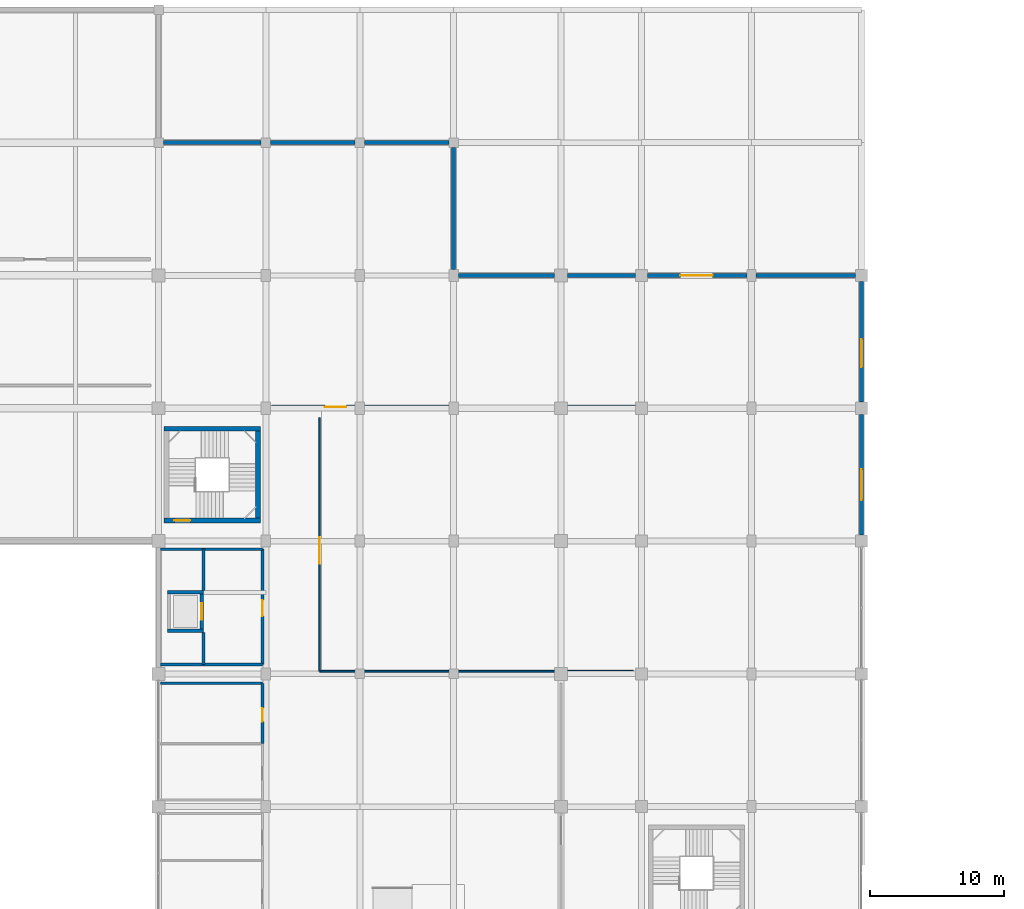
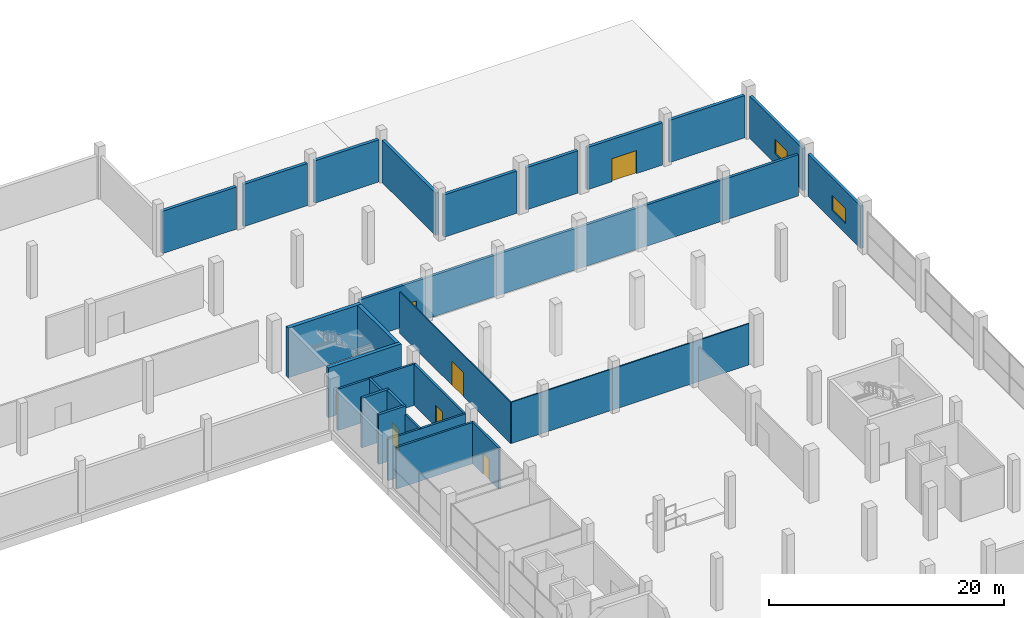
# One storey, part 23 of 50: 26 walls, 7 doors, 2 windows, 9 openings.
"""IFC4 building model written with IfcOpenShell, lengths in metres."""

from ifc_helpers import new_model, si_unit, direction, frame, frame_2d, origin, place, context, subcontext, project, spatial, rectangle, extrude, material, layer, layer_set, type_object, element, fill, save


model = new_model("IFC4")

# Units and contexts
model_context = context("Model", 3, precision=1e-05, world=origin(), true_north=direction((0.0, 1.0)))
body_context = subcontext(model_context, "Body", "Model", "MODEL_VIEW")
ifc_project = project(units=[si_unit("LENGTHUNIT", "METRE"), si_unit("AREAUNIT", "SQUARE_METRE"), si_unit("VOLUMEUNIT", "CUBIC_METRE"), si_unit("PLANEANGLEUNIT", "RADIAN"), si_unit("MASSUNIT", "GRAM", prefix="KILO")], contexts=[model_context])

# Site, building, storey
site_placement = place(None, origin())
site = spatial("IfcSite", under=ifc_project, at=site_placement, CompositionType="ELEMENT")
building_placement = place(site_placement, origin())
building = spatial("IfcBuilding", under=site, at=building_placement, Name="Sillaruma Civic Art Gallery", CompositionType="ELEMENT")
storey_placement = place(building_placement, origin())
storey = spatial("IfcBuildingStorey", under=building, at=storey_placement, Name="L00", CompositionType="ELEMENT", Elevation=0.0)

# Wall, opening, door
ifc_material_1 = material(Name="Concrete H40 (40 MPa)", Category="concrete")
ifc_layer_1 = layer(ifc_material_1, 0.35009765625, Name="Concrete H40 (40 MPa)")
ifc_layer_set_1 = layer_set([ifc_layer_1], Name="Concrete H40 (40 MPa)")
wall_type_1 = type_object("IfcWallType", Name="WAL-CORE-350", PredefinedType="SHEAR", material=ifc_layer_set_1)
wall_1_placement = place(storey_placement, frame((62.409912109375, 80.735107421875, 0.0), z_axis=(0.0, 0.0, 1.0), x_axis=(1.0, 0.0, 0.0)))
wall_1 = element("IfcWall", 1, at=wall_1_placement, inside=storey, type_object=wall_type_1, Name="Stair Core Shear Wall W-CORE-350 (ST-02:L00:S)", PredefinedType="SHEAR", context=body_context, shape_type="SweptSolid", body=[
    extrude(rectangle(XDim=7.18017578125, YDim=0.35009765625, at=frame_2d((3.590087890625, 0.0))), origin(), (0.0, 0.0, 1.0), 5.179931640625),
])
opening_1_placement = place(wall_1_placement, frame((0.77001953125, 0.0, 0.0)))
opening_1 = element("IfcOpeningElement", 2, at=opening_1_placement, cuts=wall_1, Name="Opening D-STAIR", PredefinedType="OPENING", context=body_context, shape_type="SweptSolid", body=[
    extrude(rectangle(XDim=1.199951171875, YDim=2.199951171875, at=frame_2d((0.60009765625, 1.10009765625))), frame((0.0, 0.18505859375, 0.0), z_axis=(0.0, -1.0, 0.0), x_axis=(1.0, 0.0, 0.0)), (0.0, 0.0, 1.0), 0.3701171875),
])
ifc_material_2 = material(Name="Galvanised Steel ASTM A653 Gr.50", Category="steel")
door_type_1 = type_object("IfcDoorType", Name="DOR-STAIR-120", OperationType="NOTDEFINED", PredefinedType="DOOR", material=ifc_material_2)
door_1_placement = place(opening_1_placement, frame((1.199951171875, 0.0, 0.0), z_axis=(0.0, 0.0, 1.0), x_axis=(-1.0, 0.0, 0.0)))
door_1 = element("IfcDoor", 3, at=door_1_placement, inside=storey, type_object=door_type_1, Name="Protected Stair Fire Door (ST-02:L00)", OperationType="SINGLE_SWING_RIGHT", OverallHeight=2.199951171875, OverallWidth=1.199951171875, PredefinedType="DOOR", context=body_context, shape_type="SweptSolid", body=[
    extrude(rectangle(XDim=1.199951171875, YDim=2.199951171875, at=frame_2d((0.60009765625, 1.10009765625))), frame((0.0, 0.02490234375, 0.0), z_axis=(0.0, -1.0, 0.0), x_axis=(1.0, 0.0, 0.0)), (0.0, 0.0, 1.0), 0.050048828125),
])
fill(opening_1, door_1)

# Walls
wall_2_placement = place(storey_placement, frame((62.409912109375, 87.56494140625, 0.0), z_axis=(0.0, 0.0, 1.0), x_axis=(1.0, 0.0, 0.0)))
element("IfcWall", 4, at=wall_2_placement, inside=storey, type_object=wall_type_1, Name="Stair Core Shear Wall W-CORE-350 (ST-02:L00:N)", PredefinedType="SHEAR", context=body_context, shape_type="SweptSolid", body=[
    extrude(rectangle(XDim=7.18017578125, YDim=0.35009765625, at=frame_2d((3.590087890625, 0.0))), origin(), (0.0, 0.0, 1.0), 5.179931640625),
])
wall_3_placement = place(storey_placement, frame((69.4150390625, 80.909912109375, 0.0), z_axis=(0.0, 0.0, 1.0), x_axis=(0.0, 1.0, 0.0)))
element("IfcWall", 5, at=wall_3_placement, inside=storey, type_object=wall_type_1, Name="Stair Core Shear Wall W-CORE-350 (ST-02:L00:E)", PredefinedType="SHEAR", context=body_context, shape_type="SweptSolid", body=[
    extrude(rectangle(XDim=6.47998046875, YDim=0.35009765625, at=frame_2d((3.239990234375, 0.0))), origin(), (0.0, 0.0, 1.0), 5.179931640625),
])

# Wall, opening, window
ifc_material_3 = material(Name="Concrete H35 (35 MPa)", Category="concrete")
ifc_layer_2 = layer(ifc_material_3, 0.159912109375, Name="Concrete backup", Category="concrete")
ifc_material_4 = material(Name="Mineral Wool Thermal Insulation", Category="insulation")
ifc_layer_3 = layer(ifc_material_4, 0.090087890625, Name="Thermal insulation", Category="insulation")
ifc_material_5 = material(Name="Anodised Zinc-Aluminium Alloy", Category="aluminium")
ifc_layer_4 = layer(ifc_material_5, 0.030029296875, Name="Rainscreen finish", Category="aluminium")
ifc_layer_set_2 = layer_set([ifc_layer_2, ifc_layer_3, ifc_layer_4], Name="W-EXT-280")
wall_type_2 = type_object("IfcWallType", Name="WAL-EXT-280", PredefinedType="SOLIDWALL", material=ifc_layer_set_2)
wall_4_placement = place(storey_placement, frame((114.39990234375, 79.64990234375, 0.0), z_axis=(0.0, 0.0, 1.0), x_axis=(0.0, 1.0, 0.0)))
wall_4 = element("IfcWall", 6, at=wall_4_placement, inside=storey, type_object=wall_type_2, Name="Exterior Wall W-EXT-280 (EW-L00-SPE-7)", PredefinedType="SOLIDWALL", context=body_context, shape_type="SweptSolid", body=[
    extrude(rectangle(XDim=9.0, YDim=0.280029296875, at=frame_2d((4.5, 0.0))), origin(), (0.0, 0.0, 1.0), 4.39990234375),
])
opening_2_placement = place(wall_4_placement, frame((2.60009765625, 0.0, 1.050048828125)))
opening_2 = element("IfcOpeningElement", 7, at=opening_2_placement, cuts=wall_4, Name="Opening WN-12", PredefinedType="OPENING", context=body_context, shape_type="SweptSolid", body=[
    extrude(rectangle(XDim=2.300048828125, YDim=1.550048828125, at=frame_2d((1.14990234375, 0.77490234375))), frame((0.0, 0.14990234375, 0.0), z_axis=(0.0, -1.0, 0.0), x_axis=(1.0, 0.0, 0.0)), (0.0, 0.0, 1.0), 0.300048828125),
])
ifc_material_6 = material(Name="Thermally Broken Extruded Aluminium 6063-T6", Category="aluminium")
window_type_1 = type_object("IfcWindowType", Name="WIN-W12", PartitioningType="SINGLE_PANEL", PredefinedType="WINDOW", material=ifc_material_6)
window_1_placement = place(opening_2_placement, origin())
window_1 = element("IfcWindow", 8, at=window_1_placement, inside=storey, type_object=window_type_1, Name="Window WN-12 (EW-L00-SPE-7-1)", OverallHeight=1.550048828125, OverallWidth=2.300048828125, PartitioningType="SINGLE_PANEL", PredefinedType="WINDOW", context=body_context, shape_type="SweptSolid", body=[
    extrude(rectangle(XDim=2.300048828125, YDim=1.550048828125, at=frame_2d((1.14990234375, 0.77490234375))), frame((0.0, 0.030029296875, 0.0), z_axis=(0.0, -1.0, 0.0), x_axis=(1.0, 0.0, 0.0)), (0.0, 0.0, 1.0), 0.06005859375),
])
fill(opening_2, window_1)

wall_5_placement = place(storey_placement, frame((114.39990234375, 89.550048828125, 0.0), z_axis=(0.0, 0.0, 1.0), x_axis=(0.0, 1.0, 0.0)))
wall_5 = element("IfcWall", 9, at=wall_5_placement, inside=storey, type_object=wall_type_2, Name="Exterior Wall W-EXT-280 (EW-L00-SPE-8)", PredefinedType="SOLIDWALL", context=body_context, shape_type="SweptSolid", body=[
    extrude(rectangle(XDim=9.0, YDim=0.280029296875, at=frame_2d((4.5, 0.0))), origin(), (0.0, 0.0, 1.0), 4.39990234375),
])
opening_3_placement = place(wall_5_placement, frame((2.60009765625, 0.0, 1.050048828125)))
opening_3 = element("IfcOpeningElement", 10, at=opening_3_placement, cuts=wall_5, Name="Opening WN-13", PredefinedType="OPENING", context=body_context, shape_type="SweptSolid", body=[
    extrude(rectangle(XDim=2.10009765625, YDim=1.5, at=frame_2d((1.050048828125, 0.75))), frame((0.0, 0.14990234375, 0.0), z_axis=(0.0, -1.0, 0.0), x_axis=(1.0, 0.0, 0.0)), (0.0, 0.0, 1.0), 0.300048828125),
])
window_type_2 = type_object("IfcWindowType", Name="WIN-W13", PartitioningType="SINGLE_PANEL", PredefinedType="WINDOW", material=ifc_material_6)
window_2_placement = place(opening_3_placement, origin())
window_2 = element("IfcWindow", 11, at=window_2_placement, inside=storey, type_object=window_type_2, Name="Window WN-13 (EW-L00-SPE-8-1)", OverallHeight=1.5, OverallWidth=2.10009765625, PartitioningType="SINGLE_PANEL", PredefinedType="WINDOW", context=body_context, shape_type="SweptSolid", body=[
    extrude(rectangle(XDim=2.10009765625, YDim=1.5, at=frame_2d((1.050048828125, 0.75))), frame((0.0, 0.030029296875, 0.0), z_axis=(0.0, -1.0, 0.0), x_axis=(1.0, 0.0, 0.0)), (0.0, 0.0, 1.0), 0.06005859375),
])
fill(opening_3, window_2)

# Walls
ifc_material_7 = material(Name="Precast Concrete H35 (35 MPa)", Category="concrete")
ifc_layer_5 = layer(ifc_material_7, 0.179931640625, Name="Precast backup", Category="concrete")
ifc_layer_6 = layer(ifc_material_4, 0.090087890625, Name="Thermal insulation", Category="insulation")
ifc_material_8 = material(Name="Comanche Granitic Ashlar Stone", Category="masonry")
ifc_layer_7 = layer(ifc_material_8, 0.030029296875, Name="Rainscreen cladding", Category="masonry")
ifc_layer_set_3 = layer_set([ifc_layer_5, ifc_layer_6, ifc_layer_7], Name="W-EXT-300")
wall_type_3 = type_object("IfcWallType", Name="WAL-EXT-300", PredefinedType="SOLIDWALL", material=ifc_layer_set_3)
wall_6_placement = place(storey_placement, frame((84.35009765625, 99.0, 0.0), z_axis=(0.0, 0.0, 1.0), x_axis=(1.0, 0.0, 0.0)))
element("IfcWall", 12, at=wall_6_placement, inside=storey, type_object=wall_type_3, Name="Exterior Wall W-EXT-300 (EW-L00-PNE-JK)", PredefinedType="SOLIDWALL", context=body_context, shape_type="SweptSolid", body=[
    extrude(rectangle(XDim=7.1748046875, YDim=0.300048828125, at=frame_2d((3.58740234375, 0.0))), origin(), (0.0, 0.0, 1.0), 4.39990234375),
])
wall_7_placement = place(storey_placement, frame((92.47509765625, 99.0, 0.0), z_axis=(0.0, 0.0, 1.0), x_axis=(1.0, 0.0, 0.0)))
element("IfcWall", 13, at=wall_7_placement, inside=storey, type_object=wall_type_3, Name="Exterior Wall W-EXT-300 (EW-L00-PNE-KL)", PredefinedType="SOLIDWALL", context=body_context, shape_type="SweptSolid", body=[
    extrude(rectangle(XDim=5.074951171875, YDim=0.300048828125, at=frame_2d((2.53759765625, 0.0))), origin(), (0.0, 0.0, 1.0), 4.39990234375),
])

# Wall, opening, door
wall_8_placement = place(storey_placement, frame((98.449951171875, 99.0, 0.0), z_axis=(0.0, 0.0, 1.0), x_axis=(1.0, 0.0, 0.0)))
wall_8 = element("IfcWall", 14, at=wall_8_placement, inside=storey, type_object=wall_type_3, Name="Exterior Wall W-EXT-300 (EW-L00-PNE-LM)", PredefinedType="SOLIDWALL", context=body_context, shape_type="SweptSolid", body=[
    extrude(rectangle(XDim=7.400146484375, YDim=0.300048828125, at=frame_2d((3.7001953125, 0.0))), origin(), (0.0, 0.0, 1.0), 4.39990234375),
])
opening_4_placement = place(wall_8_placement, frame((2.449951171875, 0.0, 0.0)))
opening_4 = element("IfcOpeningElement", 15, at=opening_4_placement, cuts=wall_8, Name="Opening GD-03", PredefinedType="OPENING", context=body_context, shape_type="SweptSolid", body=[
    extrude(rectangle(XDim=2.39990234375, YDim=2.39990234375, at=frame_2d((1.199951171875, 1.199951171875))), frame((0.0, 0.159912109375, 0.0), z_axis=(0.0, -1.0, 0.0), x_axis=(1.0, 0.0, 0.0)), (0.0, 0.0, 1.0), 0.320068359375),
])
door_type_2 = type_object("IfcDoorType", Name="DOR-GATE-240", OperationType="NOTDEFINED", PredefinedType="GATE", material=ifc_material_2)
door_2_placement = place(opening_4_placement, origin())
door_2 = element("IfcDoor", 16, at=door_2_placement, inside=storey, type_object=door_type_2, Name="Pasaje Courtyard Service Gate P4", OperationType="DOUBLE_DOOR_SINGLE_SWING", OverallHeight=2.39990234375, OverallWidth=2.39990234375, PredefinedType="GATE", context=body_context, shape_type="SweptSolid", body=[
    extrude(rectangle(XDim=2.39990234375, YDim=2.39990234375, at=frame_2d((1.199951171875, 1.199951171875))), frame((0.0, 0.02490234375, 0.0), z_axis=(0.0, -1.0, 0.0), x_axis=(1.0, 0.0, 0.0)), (0.0, 0.0, 1.0), 0.050048828125),
])
fill(opening_4, door_2)

# Walls
wall_9_placement = place(storey_placement, frame((106.550048828125, 99.0, 0.0), z_axis=(0.0, 0.0, 1.0), x_axis=(1.0, 0.0, 0.0)))
element("IfcWall", 17, at=wall_9_placement, inside=storey, type_object=wall_type_3, Name="Exterior Wall W-EXT-300 (EW-L00-PNE-MN)", PredefinedType="SOLIDWALL", context=body_context, shape_type="SweptSolid", body=[
    extrude(rectangle(XDim=7.39990234375, YDim=0.300048828125, at=frame_2d((3.699951171875, 0.0))), origin(), (0.0, 0.0, 1.0), 4.39990234375),
])
wall_10_placement = place(storey_placement, frame((84.0, 99.449951171875, 0.0), z_axis=(0.0, 0.0, 1.0), x_axis=(0.0, 1.0, 0.0)))
element("IfcWall", 18, at=wall_10_placement, inside=storey, type_object=wall_type_3, Name="Exterior Wall W-EXT-300 (EW-L00-PNE-W)", PredefinedType="SOLIDWALL", context=body_context, shape_type="SweptSolid", body=[
    extrude(rectangle(XDim=9.10009765625, YDim=0.300048828125, at=frame_2d((4.550048828125, 0.0))), origin(), (0.0, 0.0, 1.0), 4.39990234375),
])
wall_11_placement = place(storey_placement, frame((62.35009765625, 108.89990234375, 0.0), z_axis=(0.0, 0.0, 1.0), x_axis=(1.0, 0.0, 0.0)))
element("IfcWall", 19, at=wall_11_placement, inside=storey, type_object=wall_type_3, Name="Exterior Wall W-EXT-300 (EW-L00-PNW-FG)", PredefinedType="SOLIDWALL", context=body_context, shape_type="SweptSolid", body=[
    extrude(rectangle(XDim=7.2998046875, YDim=0.300048828125, at=frame_2d((3.64990234375, 0.0))), origin(), (0.0, 0.0, 1.0), 4.39990234375),
])
for number, where, z_axis, x_axis, name in (
    (20, (70.35009765625, 108.89990234375, 0.0), (0.0, 0.0, 1.0), (1.0, 0.0, 0.0), "Exterior Wall W-EXT-300 (EW-L00-PNW-GH)"),
    (21, (77.35009765625, 108.89990234375, 0.0), (0.0, 0.0, 1.0), (1.0, 0.0, 0.0), "Exterior Wall W-EXT-300 (EW-L00-PNW-HJ)"),
):
    element("IfcWall", number, at=place(storey_placement, frame(where, z_axis=z_axis, x_axis=x_axis)), inside=storey, type_object=wall_type_3, Name=name, PredefinedType="SOLIDWALL", context=body_context, shape_type="SweptSolid", body=[
        extrude(rectangle(XDim=6.2998046875, YDim=0.300048828125, at=frame_2d((3.14990234375, 0.0))), origin(), (0.0, 0.0, 1.0), 4.39990234375),
    ])
ifc_material_9 = material(Name="Concrete Masonry Unit Grade M15", Category="masonry")
ifc_layer_8 = layer(ifc_material_9, 0.199951171875, Name="Concrete Masonry Unit Grade M15")
ifc_layer_set_4 = layer_set([ifc_layer_8], Name="Concrete Masonry Unit Grade M15")
wall_type_4 = type_object("IfcWallType", Name="WAL-LOBBY-200", PredefinedType="SOLIDWALL", material=ifc_layer_set_4)
for number, where, z_axis, x_axis, name in (
    (22, (62.14990234375, 70.0, 0.0), (0.0, 0.0, 1.0), (1.0, 0.0, 0.0), "Interior Wall W-LOBBY-200 (L00-FFL)"),
    (23, (62.14990234375, 78.60009765625, 0.0), (0.0, 0.0, 1.0), (1.0, 0.0, 0.0), "Interior Wall W-LOBBY-200 (L00-FFL)"),
):
    element("IfcWall", number, at=place(storey_placement, frame(where, z_axis=z_axis, x_axis=x_axis)), inside=storey, type_object=wall_type_4, Name=name, PredefinedType="SOLIDWALL", context=body_context, shape_type="SweptSolid", body=[
        extrude(rectangle(XDim=7.60009765625, YDim=0.199951171875, at=frame_2d((3.800048828125, 0.0))), origin(), (0.0, 0.0, 1.0), 4.300048828125),
    ])
wall_12_placement = place(storey_placement, frame((65.35009765625, 70.0, 0.0), z_axis=(0.0, 0.0, 1.0), x_axis=(0.0, 1.0, 0.0)))
element("IfcWall", 24, at=wall_12_placement, inside=storey, type_object=wall_type_4, Name="Interior Wall W-LOBBY-200 (L00-FFL)", PredefinedType="SOLIDWALL", context=body_context, shape_type="SweptSolid", body=[
    extrude(rectangle(XDim=2.39990234375, YDim=0.199951171875, at=frame_2d((1.199951171875, 0.0))), origin(), (0.0, 0.0, 1.0), 4.300048828125),
])
wall_13_placement = place(storey_placement, frame((65.35009765625, 75.5, 0.0), z_axis=(0.0, 0.0, 1.0), x_axis=(0.0, 1.0, 0.0)))
element("IfcWall", 25, at=wall_13_placement, inside=storey, type_object=wall_type_4, Name="Interior Wall W-LOBBY-200 (L00-FFL)", PredefinedType="SOLIDWALL", context=body_context, shape_type="SweptSolid", body=[
    extrude(rectangle(XDim=3.10009765625, YDim=0.199951171875, at=frame_2d((1.550048828125, 0.0))), origin(), (0.0, 0.0, 1.0), 4.300048828125),
])

# Wall, opening, door
wall_14_placement = place(storey_placement, frame((69.75, 70.0, 0.0), z_axis=(0.0, 0.0, 1.0), x_axis=(0.0, 1.0, 0.0)))
wall_14 = element("IfcWall", 26, at=wall_14_placement, inside=storey, type_object=wall_type_4, Name="Interior Wall W-LOBBY-200 (L00-FFL)", PredefinedType="SOLIDWALL", context=body_context, shape_type="SweptSolid", body=[
    extrude(rectangle(XDim=8.60009765625, YDim=0.199951171875, at=frame_2d((4.300048828125, 0.0))), origin(), (0.0, 0.0, 1.0), 4.300048828125),
])
opening_5_placement = place(wall_14_placement, frame((3.60009765625, 0.0, 0.0)))
opening_5 = element("IfcOpeningElement", 27, at=opening_5_placement, cuts=wall_14, Name="Opening D-FFL", PredefinedType="OPENING", context=body_context, shape_type="SweptSolid", body=[
    extrude(rectangle(XDim=1.199951171875, YDim=2.25, at=frame_2d((0.60009765625, 1.125))), frame((0.0, 0.10986328125, 0.0), z_axis=(0.0, -1.0, 0.0), x_axis=(1.0, 0.0, 0.0)), (0.0, 0.0, 1.0), 0.219970703125),
])
door_type_3 = type_object("IfcDoorType", Name="DOR-FFL-120", OperationType="NOTDEFINED", PredefinedType="DOOR", material=ifc_material_2)
door_3_placement = place(opening_5_placement, origin())
door_3 = element("IfcDoor", 28, at=door_3_placement, inside=storey, type_object=door_type_3, Name="Firefighting Lobby Door (D-FFL)", OperationType="SINGLE_SWING_LEFT", OverallHeight=2.25, OverallWidth=1.199951171875, PredefinedType="DOOR", context=body_context, shape_type="SweptSolid", body=[
    extrude(rectangle(XDim=1.199951171875, YDim=2.25, at=frame_2d((0.60009765625, 1.125))), frame((0.0, 0.02490234375, 0.0), z_axis=(0.0, -1.0, 0.0), x_axis=(1.0, 0.0, 0.0)), (0.0, 0.0, 1.0), 0.050048828125),
])
fill(opening_5, door_3)

# Wall
wall_15_placement = place(storey_placement, frame((62.14990234375, 68.60009765625, 0.0), z_axis=(0.0, 0.0, 1.0), x_axis=(1.0, 0.0, 0.0)))
element("IfcWall", 29, at=wall_15_placement, inside=storey, type_object=wall_type_4, Name="Interior Wall W-LOBBY-200 (L00-RSR)", PredefinedType="SOLIDWALL", context=body_context, shape_type="SweptSolid", body=[
    extrude(rectangle(XDim=7.60009765625, YDim=0.199951171875, at=frame_2d((3.800048828125, 0.0))), origin(), (0.0, 0.0, 1.0), 4.300048828125),
])

# Wall, opening, door
wall_16_placement = place(storey_placement, frame((69.75, 64.10009765625, 0.0), z_axis=(0.0, 0.0, 1.0), x_axis=(0.0, 1.0, 0.0)))
wall_16 = element("IfcWall", 30, at=wall_16_placement, inside=storey, type_object=wall_type_4, Name="Interior Wall W-LOBBY-200 (L00-RSR)", PredefinedType="SOLIDWALL", context=body_context, shape_type="SweptSolid", body=[
    extrude(rectangle(XDim=4.5, YDim=0.199951171875, at=frame_2d((2.25, 0.0))), origin(), (0.0, 0.0, 1.0), 4.300048828125),
])
opening_6_placement = place(wall_16_placement, frame((1.64990234375, 0.0, 0.0)))
opening_6 = element("IfcOpeningElement", 31, at=opening_6_placement, cuts=wall_16, Name="Opening D-RISER", PredefinedType="OPENING", context=body_context, shape_type="SweptSolid", body=[
    extrude(rectangle(XDim=1.0, YDim=2.14990234375, at=frame_2d((0.5, 1.074951171875))), frame((0.0, 0.10986328125, 0.0), z_axis=(0.0, -1.0, 0.0), x_axis=(1.0, 0.0, 0.0)), (0.0, 0.0, 1.0), 0.219970703125),
])
door_type_4 = type_object("IfcDoorType", Name="DOR-RISER-100", OperationType="NOTDEFINED", PredefinedType="DOOR", material=ifc_material_2)
door_4_placement = place(opening_6_placement, origin())
door_4 = element("IfcDoor", 32, at=door_4_placement, inside=storey, type_object=door_type_4, Name="MEP Service Riser Door (D-RISER)", OperationType="SINGLE_SWING_LEFT", OverallHeight=2.14990234375, OverallWidth=1.0, PredefinedType="DOOR", context=body_context, shape_type="SweptSolid", body=[
    extrude(rectangle(XDim=1.0, YDim=2.14990234375, at=frame_2d((0.5, 1.074951171875))), frame((0.0, 0.02490234375, 0.0), z_axis=(0.0, -1.0, 0.0), x_axis=(1.0, 0.0, 0.0)), (0.0, 0.0, 1.0), 0.050048828125),
])
fill(opening_6, door_4)

ifc_material_10 = material(Name="Gypsum Acoustic Board", Category="gypsum")
ifc_layer_9 = layer(ifc_material_10, 0.02490234375, Name="Finish board", Category="gypsum")
ifc_layer_10 = layer(ifc_material_4, 0.06005859375, Name="Acoustic core", Category="insulation")
ifc_material_11 = material(Name="Andean Oak Timber", Category="wood")
ifc_layer_11 = layer(ifc_material_11, 0.02490234375, Name="Gallery lining", Category="wood")
ifc_layer_set_5 = layer_set([ifc_layer_9, ifc_layer_10, ifc_layer_11], Name="W-PT-110")
wall_type_5 = type_object("IfcWallType", Name="WAL-PART-110", PredefinedType="PARTITIONING", material=ifc_layer_set_5)
wall_17_placement = place(storey_placement, frame((74.0, 69.5, 0.0), z_axis=(0.0, 0.0, 1.0), x_axis=(0.0, 1.0, 0.0)))
wall_17 = element("IfcWall", 33, at=wall_17_placement, inside=storey, type_object=wall_type_5, Name="Interior Wall W-PT-110 (L00-GAL01)", PredefinedType="PARTITIONING", context=body_context, shape_type="SweptSolid", body=[
    extrude(rectangle(XDim=18.89990234375, YDim=0.110107421875, at=frame_2d((9.449951171875, 0.0))), origin(), (0.0, 0.0, 1.0), 4.300048828125),
])
opening_7_placement = place(wall_17_placement, frame((8.0, 0.0, 0.0)))
opening_7 = element("IfcOpeningElement", 34, at=opening_7_placement, cuts=wall_17, Name="Opening D-GAL20", PredefinedType="OPENING", context=body_context, shape_type="SweptSolid", body=[
    extrude(rectangle(XDim=2.0, YDim=2.5, at=frame_2d((1.0, 1.25))), frame((0.0, 0.06494140625, 0.0), z_axis=(0.0, -1.0, 0.0), x_axis=(1.0, 0.0, 0.0)), (0.0, 0.0, 1.0), 0.130126953125),
])
door_type_5 = type_object("IfcDoorType", Name="DOR-GAL-200", OperationType="NOTDEFINED", PredefinedType="DOOR", material=ifc_material_11)
door_5_placement = place(opening_7_placement, origin())
door_5 = element("IfcDoor", 35, at=door_5_placement, inside=storey, type_object=door_type_5, Name="Ground Contemporary Gallery Door (D-GAL20)", OperationType="DOUBLE_DOOR_SINGLE_SWING", OverallHeight=2.5, OverallWidth=2.0, PredefinedType="DOOR", context=body_context, shape_type="SweptSolid", body=[
    extrude(rectangle(XDim=2.0, YDim=2.5, at=frame_2d((1.0, 1.25))), frame((0.0, 0.02490234375, 0.0), z_axis=(0.0, -1.0, 0.0), x_axis=(1.0, 0.0, 0.0)), (0.0, 0.0, 1.0), 0.050048828125),
])
fill(opening_7, door_5)

# Walls
ifc_layer_12 = layer(ifc_material_10, 0.02490234375, Name="Finish board", Category="gypsum")
ifc_layer_13 = layer(ifc_material_4, 0.070068359375, Name="Acoustic core", Category="insulation")
ifc_layer_14 = layer(ifc_material_11, 0.02490234375, Name="Gallery lining", Category="wood")
ifc_layer_set_6 = layer_set([ifc_layer_12, ifc_layer_13, ifc_layer_14], Name="W-PT-120")
wall_type_6 = type_object("IfcWallType", Name="WAL-PART-120", PredefinedType="PARTITIONING", material=ifc_layer_set_6)
wall_18_placement = place(storey_placement, frame((74.0, 69.5, 0.0), z_axis=(0.0, 0.0, 1.0), x_axis=(1.0, 0.0, 0.0)))
element("IfcWall", 36, at=wall_18_placement, inside=storey, type_object=wall_type_6, Name="Interior Wall W-PT-120 (L00-GAL01)", PredefinedType="PARTITIONING", context=body_context, shape_type="SweptSolid", body=[
    extrude(rectangle(XDim=23.39990234375, YDim=0.1201171875, at=frame_2d((11.699951171875, 0.0))), origin(), (0.0, 0.0, 1.0), 4.300048828125),
])
ifc_layer_15 = layer(ifc_material_1, 0.25, Name="Concrete H40 (40 MPa)")
ifc_layer_set_7 = layer_set([ifc_layer_15], Name="Concrete H40 (40 MPa)")
wall_type_7 = type_object("IfcWallType", Name="WAL-SHAFT-250", PredefinedType="SOLIDWALL", material=ifc_layer_set_7)
for number, where, z_axis, x_axis, name in (
    (37, (62.64990234375, 72.52490234375, 0.0), (0.0, 0.0, 1.0), (1.0, 0.0, 0.0), "Lift Shaft Wall W-SHAFT-250 (FFL-01:L00:S)"),
    (38, (62.64990234375, 75.375, 0.0), (0.0, 0.0, 1.0), (1.0, 0.0, 0.0), "Lift Shaft Wall W-SHAFT-250 (FFL-01:L00:N)"),
):
    element("IfcWall", number, at=place(storey_placement, frame(where, z_axis=z_axis, x_axis=x_axis)), inside=storey, type_object=wall_type_7, Name=name, PredefinedType="SOLIDWALL", context=body_context, shape_type="SweptSolid", body=[
        extrude(rectangle(XDim=2.7001953125, YDim=0.25, at=frame_2d((1.35009765625, 0.0))), origin(), (0.0, 0.0, 1.0), 5.159912109375),
    ])

# Wall, opening, door
wall_19_placement = place(storey_placement, frame((65.22509765625, 72.64990234375, 0.0), z_axis=(0.0, 0.0, 1.0), x_axis=(0.0, 1.0, 0.0)))
wall_19 = element("IfcWall", 39, at=wall_19_placement, inside=storey, type_object=wall_type_7, Name="Lift Shaft Wall W-SHAFT-250 (FFL-01:L00:E)", PredefinedType="SOLIDWALL", context=body_context, shape_type="SweptSolid", body=[
    extrude(rectangle(XDim=2.60009765625, YDim=0.25, at=frame_2d((1.300048828125, 0.0))), origin(), (0.0, 0.0, 1.0), 5.159912109375),
])
opening_8_placement = place(wall_19_placement, frame((0.675048828125, 0.0, 0.0)))
opening_8 = element("IfcOpeningElement", 40, at=opening_8_placement, cuts=wall_19, Name="Opening LD-02", PredefinedType="OPENING", context=body_context, shape_type="SweptSolid", body=[
    extrude(rectangle(XDim=1.25, YDim=2.199951171875, at=frame_2d((0.625, 1.10009765625))), frame((0.0, 0.135009765625, 0.0), z_axis=(0.0, -1.0, 0.0), x_axis=(1.0, 0.0, 0.0)), (0.0, 0.0, 1.0), 0.27001953125),
])
door_type_6 = type_object("IfcDoorType", Name="DOR-LD-02", OperationType="NOTDEFINED", PredefinedType="DOOR", material=ifc_material_2)
door_6_placement = place(opening_8_placement, origin())
door_6 = element("IfcDoor", 41, at=door_6_placement, inside=storey, type_object=door_type_6, Name="Lift Sliding Landing Door LD-02 (FFL-01:L00)", OperationType="DOUBLE_DOOR_SLIDING", OverallHeight=2.199951171875, OverallWidth=1.25, PredefinedType="DOOR", context=body_context, shape_type="SweptSolid", body=[
    extrude(rectangle(XDim=1.25, YDim=2.199951171875, at=frame_2d((0.625, 1.10009765625))), frame((0.0, 0.02490234375, 0.0), z_axis=(0.0, -1.0, 0.0), x_axis=(1.0, 0.0, 0.0)), (0.0, 0.0, 1.0), 0.050048828125),
])
fill(opening_8, door_6)

ifc_layer_16 = layer(ifc_material_9, 0.2548828125, Name="Concrete Masonry Unit Grade M15")
ifc_layer_set_8 = layer_set([ifc_layer_16], Name="Concrete Masonry Unit Grade M15")
wall_type_8 = type_object("IfcWallType", Name="WAL-STORE-250", PredefinedType="SOLIDWALL", material=ifc_layer_set_8)
wall_20_placement = place(storey_placement, frame((70.39990234375, 89.199951171875, 0.0), z_axis=(0.0, 0.0, 1.0), x_axis=(1.0, 0.0, 0.0)))
wall_20 = element("IfcWall", 42, at=wall_20_placement, inside=storey, type_object=wall_type_8, Name="Interior Wall W-STORE-250 (L00-PLTN0)", PredefinedType="SOLIDWALL", context=body_context, shape_type="SweptSolid", body=[
    extrude(rectangle(XDim=43.2001953125, YDim=0.2548828125, at=frame_2d((21.60009765625, 0.0))), origin(), (0.0, 0.0, 1.0), 4.300048828125),
])
opening_9_placement = place(wall_20_placement, frame((4.0, 0.0, 0.0)))
opening_9 = element("IfcOpeningElement", 43, at=opening_9_placement, cuts=wall_20, Name="Opening D-PLT16", PredefinedType="OPENING", context=body_context, shape_type="SweptSolid", body=[
    extrude(rectangle(XDim=1.60009765625, YDim=2.25, at=frame_2d((0.800048828125, 1.125))), frame((0.0, 0.137451171875, 0.0), z_axis=(0.0, -1.0, 0.0), x_axis=(1.0, 0.0, 0.0)), (0.0, 0.0, 1.0), 0.27490234375),
])
door_type_7 = type_object("IfcDoorType", Name="DOR-PLANT-160", OperationType="NOTDEFINED", PredefinedType="DOOR", material=ifc_material_2)
door_7_placement = place(opening_9_placement, origin())
door_7 = element("IfcDoor", 44, at=door_7_placement, inside=storey, type_object=door_type_7, Name="North Smoke Exhaust and AHU Plant Room Door (D-PLT16)", OperationType="DOUBLE_DOOR_SINGLE_SWING", OverallHeight=2.25, OverallWidth=1.60009765625, PredefinedType="DOOR", context=body_context, shape_type="SweptSolid", body=[
    extrude(rectangle(XDim=1.60009765625, YDim=2.25, at=frame_2d((0.800048828125, 1.125))), frame((0.0, 0.02490234375, 0.0), z_axis=(0.0, -1.0, 0.0), x_axis=(1.0, 0.0, 0.0)), (0.0, 0.0, 1.0), 0.050048828125),
])
fill(opening_9, door_7)

save(model, "model.ifc")
